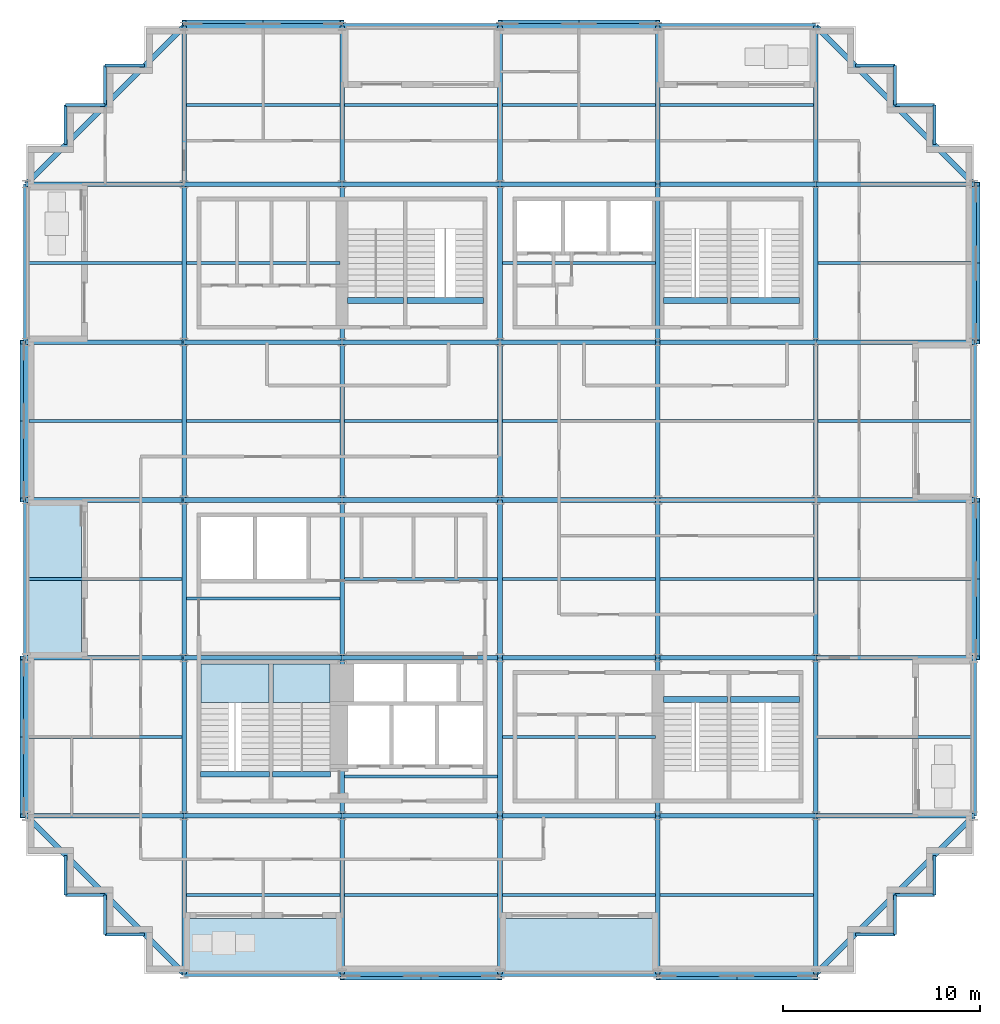
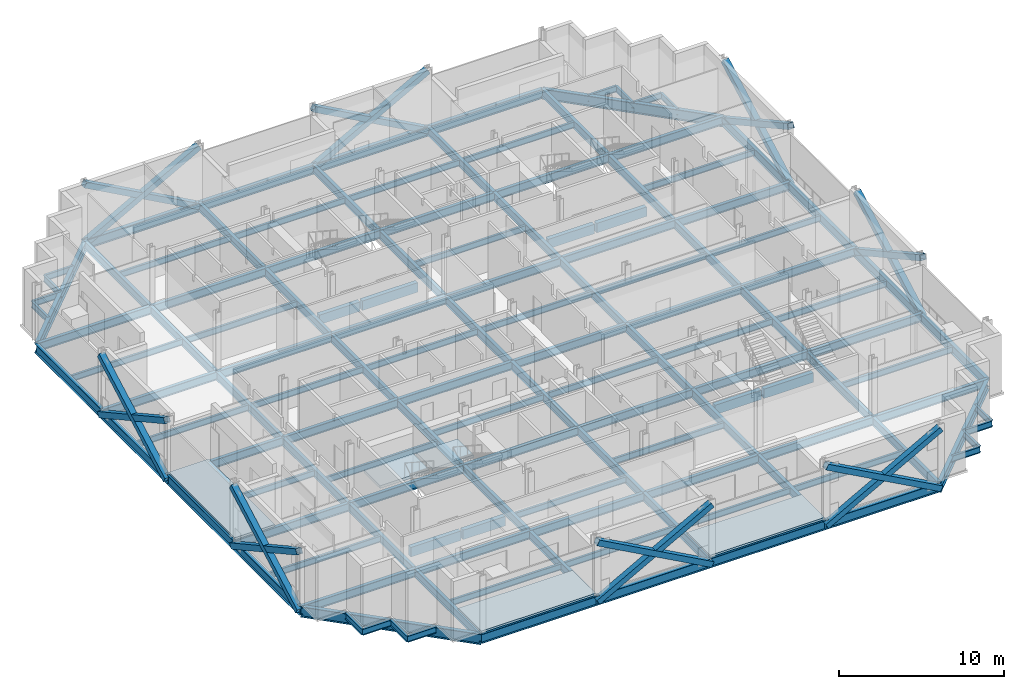
# One storey, part 4 of 15: 132 beams, 16 members, 5 slabs, 2 elements without a shape of their own.
"""IFC4 building model written with IfcOpenShell, lengths in metres."""

from ifc_helpers import new_model, si_unit, direction, frame, origin, origin_2d, place, context, subcontext, project, spatial, polyline, rectangle, hollow_rectangle, i_section, outline, extrude, material, layer, layer_set, material_profile, profile_set, type_object, element, aggregate, save


model = new_model("IFC4")

# Units and contexts
model_context = context("Model", 3, precision=1e-05, world=origin(), true_north=direction((0.0, 1.0)))
body_context = subcontext(model_context, "Body", "Model", "MODEL_VIEW")
ifc_project = project(units=[si_unit("LENGTHUNIT", "METRE"), si_unit("AREAUNIT", "SQUARE_METRE"), si_unit("VOLUMEUNIT", "CUBIC_METRE"), si_unit("PLANEANGLEUNIT", "RADIAN"), si_unit("MASSUNIT", "GRAM", prefix="KILO")], contexts=[model_context])

# Site, building, storey
site_placement = place(None, origin())
site = spatial("IfcSite", under=ifc_project, at=site_placement, CompositionType="ELEMENT")
building_placement = place(site_placement, origin())
building = spatial("IfcBuilding", under=site, at=building_placement, Name="Immortelle Media Tower", CompositionType="ELEMENT")
storey_placement = place(building_placement, frame((0.0, 0.0, 100.800048828125)))
storey = spatial("IfcBuildingStorey", under=building, at=storey_placement, Name="L19", CompositionType="ELEMENT", Elevation=100.800048828125)

# Members
ifc_material_1 = material(Name="Steel ASTM A500 Gr C", Category="steel")
ifc_material_profile_1 = material_profile(ifc_material_1, hollow_rectangle(XDim=0.406005859375, YDim=0.406005859375, WallThickness=0.014892578125, at=origin_2d()), Name="HSS16x16x5/8 brace")
ifc_profile_set_1 = profile_set([ifc_material_profile_1], Name="Steel ASTM A500 Gr C")
member_type = type_object("IfcMemberType", Name="HSS16x16x5/8 brace", PredefinedType="BRACE", material=ifc_profile_set_1)
for number, where, z_axis, x_axis, name in (
    (1, (-0.113037109375, 32.0, -0.49658203125), (0.0, -0.876209133828, 0.481931067474), (1.0, 0.0, 0.0), "Brace 1/D-E A"),
    (2, (-0.113037109375, 32.0, 3.903564453125), (0.0, -0.876209133828, -0.481931067474), (1.0, 0.0, 0.0), "Brace 1/D-E B"),
    (3, (-0.113037109375, 16.0, -0.49658203125), (0.0, -0.876209133828, 0.481931067474), (1.0, 0.0, 0.0), "Brace 1/B-C A"),
    (4, (-0.113037109375, 16.0, 3.903564453125), (0.0, -0.876209133828, -0.481931067474), (1.0, 0.0, 0.0), "Brace 1/B-C B"),
    (5, (16.0, -0.113037109375, -0.49658203125), (0.876209133828, 0.0, 0.481931067474), (0.0, 1.0, 0.0), "Brace A/3-4 A"),
    (6, (16.0, -0.113037109375, 3.903564453125), (0.876209133828, 0.0, -0.481931067474), (0.0, 1.0, 0.0), "Brace A/3-4 B"),
    (7, (32.0, -0.113037109375, -0.49658203125), (0.876209133828, 0.0, 0.481931067474), (0.0, 1.0, 0.0), "Brace A/5-6 A"),
    (8, (32.0, -0.113037109375, 3.903564453125), (0.876209133828, 0.0, -0.481931067474), (0.0, 1.0, 0.0), "Brace A/5-6 B"),
    (9, (48.113037109375, 16.0, -0.49658203125), (0.0, 0.876209133828, 0.481931067474), (-1.0, 0.0, 0.0), "Brace 7/C-D A"),
    (10, (48.113037109375, 16.0, 3.903564453125), (0.0, 0.876209133828, -0.481931067474), (-1.0, 0.0, 0.0), "Brace 7/C-D B"),
    (11, (48.113037109375, 32.0, -0.49658203125), (0.0, 0.876209133828, 0.481931067474), (-1.0, 0.0, 0.0), "Brace 7/E-F A"),
    (12, (48.113037109375, 32.0, 3.903564453125), (0.0, 0.876209133828, -0.481931067474), (-1.0, 0.0, 0.0), "Brace 7/E-F B"),
    (13, (32.0, 48.113037109375, -0.49658203125), (-0.876209133828, 0.0, 0.481931067474), (0.0, -1.0, 0.0), "Brace G/4-5 A"),
    (14, (32.0, 48.113037109375, 3.903564453125), (-0.876209133828, 0.0, -0.481931067474), (0.0, -1.0, 0.0), "Brace G/4-5 B"),
    (15, (16.0, 48.113037109375, -0.49658203125), (-0.876209133828, 0.0, 0.481931067474), (0.0, -1.0, 0.0), "Brace G/2-3 A"),
    (16, (16.0, 48.113037109375, 3.903564453125), (-0.876209133828, 0.0, -0.481931067474), (0.0, -1.0, 0.0), "Brace G/2-3 B"),
):
    element("IfcMember", number, at=place(storey_placement, frame(where, z_axis=z_axis, x_axis=x_axis)), inside=storey, type_object=member_type, Name=name, PredefinedType="BRACE", context=body_context, shape_type="SweptSolid", body=[
        extrude(hollow_rectangle(XDim=0.406005859375, YDim=0.406005859375, WallThickness=0.014892578125, at=origin_2d()), origin(), (0.0, 0.0, 1.0), 9.130126953125),
    ])

# Beams
ifc_material_2 = material(Name="Concrete C50/60", Category="concrete")
ifc_material_profile_2 = material_profile(ifc_material_2, rectangle(XDim=0.300048828125, YDim=0.699951171875, at=origin_2d()), Name="RC 300x700")
ifc_profile_set_2 = profile_set([ifc_material_profile_2], Name="Concrete C50/60")
beam_type_1 = type_object("IfcBeamType", Name="Stair trimmer beam 300 x 700", PredefinedType="BEAM", material=ifc_profile_set_2)
beam_1_placement = place(storey_placement, frame((8.830078125, 10.10498046875, -0.5), z_axis=(1.0, 0.0, 0.0), x_axis=(0.0, 1.0, 0.0)))
element("IfcBeam", 17, at=beam_1_placement, inside=storey, type_object=beam_type_1, Name="Stair trimmer beam SW1", PredefinedType="BEAM", context=body_context, shape_type="SweptSolid", body=[
    extrude(rectangle(XDim=0.300048828125, YDim=0.699951171875, at=origin_2d()), origin(), (0.0, 0.0, 1.0), 3.489990234375),
])
beam_2_placement = place(storey_placement, frame((12.47998046875, 10.10498046875, -0.5), z_axis=(1.0, 0.0, 0.0), x_axis=(0.0, 1.0, 0.0)))
element("IfcBeam", 18, at=beam_2_placement, inside=storey, type_object=beam_type_1, Name="Stair trimmer beam SW2", PredefinedType="BEAM", context=body_context, shape_type="SweptSolid", body=[
    extrude(rectangle(XDim=0.300048828125, YDim=0.699951171875, at=origin_2d()), origin(), (0.0, 0.0, 1.0), 2.93994140625),
])
beam_3_placement = place(storey_placement, frame((32.280029296875, 13.89501953125, -0.5), z_axis=(1.0, 0.0, 0.0), x_axis=(0.0, 1.0, 0.0)))
element("IfcBeam", 19, at=beam_3_placement, inside=storey, type_object=beam_type_1, Name="Stair trimmer beam SE1", PredefinedType="BEAM", context=body_context, shape_type="SweptSolid", body=[
    extrude(rectangle(XDim=0.300048828125, YDim=0.699951171875, at=origin_2d()), origin(), (0.0, 0.0, 1.0), 3.239990234375),
])
beam_4_placement = place(storey_placement, frame((35.679931640625, 13.89501953125, -0.5), z_axis=(1.0, 0.0, 0.0), x_axis=(0.0, 1.0, 0.0)))
element("IfcBeam", 20, at=beam_4_placement, inside=storey, type_object=beam_type_1, Name="Stair trimmer beam SE2", PredefinedType="BEAM", context=body_context, shape_type="SweptSolid", body=[
    extrude(rectangle(XDim=0.300048828125, YDim=0.699951171875, at=origin_2d()), origin(), (0.0, 0.0, 1.0), 3.489990234375),
])
beam_5_placement = place(storey_placement, frame((16.280029296875, 34.10498046875, -0.5), z_axis=(1.0, 0.0, 0.0), x_axis=(0.0, 1.0, 0.0)))
element("IfcBeam", 21, at=beam_5_placement, inside=storey, type_object=beam_type_1, Name="Stair trimmer beam NW1", PredefinedType="BEAM", context=body_context, shape_type="SweptSolid", body=[
    extrude(rectangle(XDim=0.300048828125, YDim=0.699951171875, at=origin_2d()), origin(), (0.0, 0.0, 1.0), 2.840087890625),
])
beam_6_placement = place(storey_placement, frame((19.280029296875, 34.10498046875, -0.5), z_axis=(1.0, 0.0, 0.0), x_axis=(0.0, 1.0, 0.0)))
element("IfcBeam", 22, at=beam_6_placement, inside=storey, type_object=beam_type_1, Name="Stair trimmer beam NW2", PredefinedType="BEAM", context=body_context, shape_type="SweptSolid", body=[
    extrude(rectangle(XDim=0.300048828125, YDim=0.699951171875, at=origin_2d()), origin(), (0.0, 0.0, 1.0), 3.889892578125),
])
beam_7_placement = place(storey_placement, frame((32.280029296875, 34.10498046875, -0.5), z_axis=(1.0, 0.0, 0.0), x_axis=(0.0, 1.0, 0.0)))
element("IfcBeam", 23, at=beam_7_placement, inside=storey, type_object=beam_type_1, Name="Stair trimmer beam NE1", PredefinedType="BEAM", context=body_context, shape_type="SweptSolid", body=[
    extrude(rectangle(XDim=0.300048828125, YDim=0.699951171875, at=origin_2d()), origin(), (0.0, 0.0, 1.0), 3.239990234375),
])
beam_8_placement = place(storey_placement, frame((35.679931640625, 34.10498046875, -0.5), z_axis=(1.0, 0.0, 0.0), x_axis=(0.0, 1.0, 0.0)))
element("IfcBeam", 24, at=beam_8_placement, inside=storey, type_object=beam_type_1, Name="Stair trimmer beam NE2", PredefinedType="BEAM", context=body_context, shape_type="SweptSolid", body=[
    extrude(rectangle(XDim=0.300048828125, YDim=0.699951171875, at=origin_2d()), origin(), (0.0, 0.0, 1.0), 3.489990234375),
])
ifc_material_3 = material(Name="Steel ASTM A992 Gr 50", Category="steel")
ifc_material_profile_3 = material_profile(ifc_material_3, i_section(OverallWidth=0.153076171875, OverallDepth=0.455078125, WebThickness=0.008056640625, FlangeThickness=0.012939453125, at=origin_2d()), Name="W18x40")
ifc_profile_set_3 = profile_set([ifc_material_profile_3], Name="Steel ASTM A992 Gr 50")
beam_type_2 = type_object("IfcBeamType", Name="W18x40 secondary beam", PredefinedType="JOIST", material=ifc_profile_set_3)
for number, where, z_axis, x_axis, name in (
    (25, (8.114501953125, 4.0, -0.37744140625), (1.0, 0.0, 0.0), (0.0, 1.0, 0.0), "Beam A-B/2-3"),
    (26, (16.114501953125, 4.0, -0.37744140625), (1.0, 0.0, 0.0), (0.0, 1.0, 0.0), "Beam A-B/3-4"),
    (27, (24.114501953125, 4.0, -0.37744140625), (1.0, 0.0, 0.0), (0.0, 1.0, 0.0), "Beam A-B/4-5"),
    (28, (32.114501953125, 4.0, -0.37744140625), (1.0, 0.0, 0.0), (0.0, 1.0, 0.0), "Beam A-B/5-6"),
):
    element("IfcBeam", number, at=place(storey_placement, frame(where, z_axis=z_axis, x_axis=x_axis)), inside=storey, type_object=beam_type_2, Name=name, PredefinedType="JOIST", context=body_context, shape_type="SweptSolid", body=[
        extrude(i_section(OverallWidth=0.153076171875, OverallDepth=0.455078125, WebThickness=0.008056640625, FlangeThickness=0.012939453125, at=origin_2d()), origin(), (0.0, 0.0, 1.0), 7.77099609375),
    ])
beam_9_placement = place(storey_placement, frame((0.12841796875, 12.0, -0.37744140625), z_axis=(1.0, 0.0, 0.0), x_axis=(0.0, 1.0, 0.0)))
element("IfcBeam", 29, at=beam_9_placement, inside=storey, type_object=beam_type_2, Name="Beam B-C/1-2", PredefinedType="JOIST", context=body_context, shape_type="SweptSolid", body=[
    extrude(i_section(OverallWidth=0.153076171875, OverallDepth=0.455078125, WebThickness=0.008056640625, FlangeThickness=0.012939453125, at=origin_2d()), origin(), (0.0, 0.0, 1.0), 7.757080078125),
])
for number, where, z_axis, x_axis, name in (
    (30, (16.114501953125, 10.0, -0.37744140625), (1.0, 0.0, 0.0), (0.0, 1.0, 0.0), "Beam B-C/3-4"),
    (31, (24.114501953125, 12.0, -0.37744140625), (1.0, 0.0, 0.0), (0.0, 1.0, 0.0), "Beam B-C/4-5"),
):
    element("IfcBeam", number, at=place(storey_placement, frame(where, z_axis=z_axis, x_axis=x_axis)), inside=storey, type_object=beam_type_2, Name=name, PredefinedType="JOIST", context=body_context, shape_type="SweptSolid", body=[
        extrude(i_section(OverallWidth=0.153076171875, OverallDepth=0.455078125, WebThickness=0.008056640625, FlangeThickness=0.012939453125, at=origin_2d()), origin(), (0.0, 0.0, 1.0), 7.77099609375),
    ])
for number, where, z_axis, x_axis, name in (
    (32, (40.114501953125, 12.0, -0.37744140625), (1.0, 0.0, 0.0), (0.0, 1.0, 0.0), "Beam B-C/6-7"),
    (33, (0.12841796875, 20.0, -0.37744140625), (1.0, 0.0, 0.0), (0.0, 1.0, 0.0), "Beam C-D/1-2"),
):
    element("IfcBeam", number, at=place(storey_placement, frame(where, z_axis=z_axis, x_axis=x_axis)), inside=storey, type_object=beam_type_2, Name=name, PredefinedType="JOIST", context=body_context, shape_type="SweptSolid", body=[
        extrude(i_section(OverallWidth=0.153076171875, OverallDepth=0.455078125, WebThickness=0.008056640625, FlangeThickness=0.012939453125, at=origin_2d()), origin(), (0.0, 0.0, 1.0), 7.757080078125),
    ])
for number, where, z_axis, x_axis, name in (
    (34, (8.114501953125, 19.0, -0.37744140625), (1.0, 0.0, 0.0), (0.0, 1.0, 0.0), "Beam C-D/2-3"),
    (35, (16.114501953125, 20.0, -0.37744140625), (1.0, 0.0, 0.0), (0.0, 1.0, 0.0), "Beam C-D/3-4"),
    (36, (24.114501953125, 20.0, -0.37744140625), (1.0, 0.0, 0.0), (0.0, 1.0, 0.0), "Beam C-D/4-5"),
    (37, (32.114501953125, 20.0, -0.37744140625), (1.0, 0.0, 0.0), (0.0, 1.0, 0.0), "Beam C-D/5-6"),
):
    element("IfcBeam", number, at=place(storey_placement, frame(where, z_axis=z_axis, x_axis=x_axis)), inside=storey, type_object=beam_type_2, Name=name, PredefinedType="JOIST", context=body_context, shape_type="SweptSolid", body=[
        extrude(i_section(OverallWidth=0.153076171875, OverallDepth=0.455078125, WebThickness=0.008056640625, FlangeThickness=0.012939453125, at=origin_2d()), origin(), (0.0, 0.0, 1.0), 7.77099609375),
    ])
for number, where, z_axis, x_axis, name in (
    (38, (40.114501953125, 20.0, -0.37744140625), (1.0, 0.0, 0.0), (0.0, 1.0, 0.0), "Beam C-D/6-7"),
    (39, (0.12841796875, 28.0, -0.37744140625), (1.0, 0.0, 0.0), (0.0, 1.0, 0.0), "Beam D-E/1-2"),
):
    element("IfcBeam", number, at=place(storey_placement, frame(where, z_axis=z_axis, x_axis=x_axis)), inside=storey, type_object=beam_type_2, Name=name, PredefinedType="JOIST", context=body_context, shape_type="SweptSolid", body=[
        extrude(i_section(OverallWidth=0.153076171875, OverallDepth=0.455078125, WebThickness=0.008056640625, FlangeThickness=0.012939453125, at=origin_2d()), origin(), (0.0, 0.0, 1.0), 7.757080078125),
    ])
for number, where, z_axis, x_axis, name in (
    (40, (8.114501953125, 28.0, -0.37744140625), (1.0, 0.0, 0.0), (0.0, 1.0, 0.0), "Beam D-E/2-3"),
    (41, (16.114501953125, 28.0, -0.37744140625), (1.0, 0.0, 0.0), (0.0, 1.0, 0.0), "Beam D-E/3-4"),
    (42, (24.114501953125, 28.0, -0.37744140625), (1.0, 0.0, 0.0), (0.0, 1.0, 0.0), "Beam D-E/4-5"),
    (43, (32.114501953125, 28.0, -0.37744140625), (1.0, 0.0, 0.0), (0.0, 1.0, 0.0), "Beam D-E/5-6"),
):
    element("IfcBeam", number, at=place(storey_placement, frame(where, z_axis=z_axis, x_axis=x_axis)), inside=storey, type_object=beam_type_2, Name=name, PredefinedType="JOIST", context=body_context, shape_type="SweptSolid", body=[
        extrude(i_section(OverallWidth=0.153076171875, OverallDepth=0.455078125, WebThickness=0.008056640625, FlangeThickness=0.012939453125, at=origin_2d()), origin(), (0.0, 0.0, 1.0), 7.77099609375),
    ])
for number, where, z_axis, x_axis, name in (
    (44, (40.114501953125, 28.0, -0.37744140625), (1.0, 0.0, 0.0), (0.0, 1.0, 0.0), "Beam D-E/6-7"),
    (45, (0.12841796875, 36.0, -0.37744140625), (1.0, 0.0, 0.0), (0.0, 1.0, 0.0), "Beam E-F/1-2"),
):
    element("IfcBeam", number, at=place(storey_placement, frame(where, z_axis=z_axis, x_axis=x_axis)), inside=storey, type_object=beam_type_2, Name=name, PredefinedType="JOIST", context=body_context, shape_type="SweptSolid", body=[
        extrude(i_section(OverallWidth=0.153076171875, OverallDepth=0.455078125, WebThickness=0.008056640625, FlangeThickness=0.012939453125, at=origin_2d()), origin(), (0.0, 0.0, 1.0), 7.757080078125),
    ])
for number, where, z_axis, x_axis, name in (
    (46, (8.114501953125, 36.0, -0.37744140625), (1.0, 0.0, 0.0), (0.0, 1.0, 0.0), "Beam E-F/2-3"),
    (47, (24.114501953125, 36.0, -0.37744140625), (1.0, 0.0, 0.0), (0.0, 1.0, 0.0), "Beam E-F/4-5"),
):
    element("IfcBeam", number, at=place(storey_placement, frame(where, z_axis=z_axis, x_axis=x_axis)), inside=storey, type_object=beam_type_2, Name=name, PredefinedType="JOIST", context=body_context, shape_type="SweptSolid", body=[
        extrude(i_section(OverallWidth=0.153076171875, OverallDepth=0.455078125, WebThickness=0.008056640625, FlangeThickness=0.012939453125, at=origin_2d()), origin(), (0.0, 0.0, 1.0), 7.77099609375),
    ])
beam_10_placement = place(storey_placement, frame((40.114501953125, 36.0, -0.37744140625), z_axis=(1.0, 0.0, 0.0), x_axis=(0.0, 1.0, 0.0)))
element("IfcBeam", 48, at=beam_10_placement, inside=storey, type_object=beam_type_2, Name="Beam E-F/6-7", PredefinedType="JOIST", context=body_context, shape_type="SweptSolid", body=[
    extrude(i_section(OverallWidth=0.153076171875, OverallDepth=0.455078125, WebThickness=0.008056640625, FlangeThickness=0.012939453125, at=origin_2d()), origin(), (0.0, 0.0, 1.0), 7.757080078125),
])
for number, where, z_axis, x_axis, name in (
    (49, (8.114501953125, 44.0, -0.37744140625), (1.0, 0.0, 0.0), (0.0, 1.0, 0.0), "Beam F-G/2-3"),
    (50, (16.114501953125, 44.0, -0.37744140625), (1.0, 0.0, 0.0), (0.0, 1.0, 0.0), "Beam F-G/3-4"),
    (51, (24.114501953125, 44.0, -0.37744140625), (1.0, 0.0, 0.0), (0.0, 1.0, 0.0), "Beam F-G/4-5"),
    (52, (32.114501953125, 44.0, -0.37744140625), (1.0, 0.0, 0.0), (0.0, 1.0, 0.0), "Beam F-G/5-6"),
):
    element("IfcBeam", number, at=place(storey_placement, frame(where, z_axis=z_axis, x_axis=x_axis)), inside=storey, type_object=beam_type_2, Name=name, PredefinedType="JOIST", context=body_context, shape_type="SweptSolid", body=[
        extrude(i_section(OverallWidth=0.153076171875, OverallDepth=0.455078125, WebThickness=0.008056640625, FlangeThickness=0.012939453125, at=origin_2d()), origin(), (0.0, 0.0, 1.0), 7.77099609375),
    ])
ifc_material_profile_4 = material_profile(ifc_material_3, i_section(OverallWidth=0.153076171875, OverallDepth=0.455078125, WebThickness=0.008056640625, FlangeThickness=0.012939453125, at=origin_2d()), Name="W18x40")
ifc_profile_set_4 = profile_set([ifc_material_profile_4], Name="Steel ASTM A992 Gr 50")
beam_type_3 = type_object("IfcBeamType", Name="W18x40 serration edge beam", PredefinedType="SPANDREL", material=ifc_profile_set_4)
for number, where, z_axis, x_axis, name in (
    (53, (6.0, 2.0, -0.37744140625), (-1.0, 0.0, 0.0), (0.0, -1.0, 0.0), "Corner edge beam 1 at 1/A"),
    (54, (4.0, 2.0, -0.37744140625), (0.0, 1.0, 0.0), (-1.0, 0.0, 0.0), "Corner edge beam 2 at 1/A"),
    (55, (4.0, 4.0, -0.37744140625), (-1.0, 0.0, 0.0), (0.0, -1.0, 0.0), "Corner edge beam 3 at 1/A"),
    (56, (2.0, 4.0, -0.37744140625), (0.0, 1.0, 0.0), (-1.0, 0.0, 0.0), "Corner edge beam 4 at 1/A"),
    (57, (2.0, 42.0, -0.37744140625), (0.0, 1.0, 0.0), (-1.0, 0.0, 0.0), "Corner edge beam 1 at 1/G"),
    (58, (2.0, 44.0, -0.37744140625), (1.0, 0.0, 0.0), (0.0, 1.0, 0.0), "Corner edge beam 2 at 1/G"),
    (59, (4.0, 44.0, -0.37744140625), (0.0, 1.0, 0.0), (-1.0, 0.0, 0.0), "Corner edge beam 3 at 1/G"),
    (60, (4.0, 46.0, -0.37744140625), (1.0, 0.0, 0.0), (0.0, 1.0, 0.0), "Corner edge beam 4 at 1/G"),
    (61, (46.0, 6.0, -0.37744140625), (0.0, -1.0, 0.0), (1.0, 0.0, 0.0), "Corner edge beam 1 at 7/A"),
    (62, (46.0, 4.0, -0.37744140625), (-1.0, 0.0, 0.0), (0.0, -1.0, 0.0), "Corner edge beam 2 at 7/A"),
    (63, (44.0, 4.0, -0.37744140625), (0.0, -1.0, 0.0), (1.0, 0.0, 0.0), "Corner edge beam 3 at 7/A"),
    (64, (44.0, 2.0, -0.37744140625), (-1.0, 0.0, 0.0), (0.0, -1.0, 0.0), "Corner edge beam 4 at 7/A"),
    (65, (42.0, 46.0, -0.37744140625), (1.0, 0.0, 0.0), (0.0, 1.0, 0.0), "Corner edge beam 1 at 7/G"),
    (66, (44.0, 46.0, -0.37744140625), (0.0, -1.0, 0.0), (1.0, 0.0, 0.0), "Corner edge beam 2 at 7/G"),
    (67, (44.0, 44.0, -0.37744140625), (1.0, 0.0, 0.0), (0.0, 1.0, 0.0), "Corner edge beam 3 at 7/G"),
    (68, (46.0, 44.0, -0.37744140625), (0.0, -1.0, 0.0), (1.0, 0.0, 0.0), "Corner edge beam 4 at 7/G"),
):
    element("IfcBeam", number, at=place(storey_placement, frame(where, z_axis=z_axis, x_axis=x_axis)), inside=storey, type_object=beam_type_3, Name=name, PredefinedType="SPANDREL", context=body_context, shape_type="SweptSolid", body=[
        extrude(i_section(OverallWidth=0.153076171875, OverallDepth=0.455078125, WebThickness=0.008056640625, FlangeThickness=0.012939453125, at=origin_2d()), origin(), (0.0, 0.0, 1.0), 2.0),
    ])
ifc_material_profile_5 = material_profile(ifc_material_3, i_section(OverallWidth=0.22900390625, OverallDepth=0.612060546875, WebThickness=0.011962890625, FlangeThickness=0.02001953125, at=origin_2d()), Name="W24x84")
ifc_profile_set_5 = profile_set([ifc_material_profile_5], Name="Steel ASTM A992 Gr 50")
beam_type_4 = type_object("IfcBeamType", Name="W24x84 girder", PredefinedType="BEAM", material=ifc_profile_set_5)
for number, where, z_axis, x_axis, name in (
    (69, (0.0, 8.0, -0.4560546875), (1.0, 0.0, 0.0), (0.0, 1.0, 0.0), "Girder B/1-2"),
    (70, (0.0, 16.0, -0.4560546875), (1.0, 0.0, 0.0), (0.0, 1.0, 0.0), "Girder C/1-2"),
    (71, (0.0, 24.0, -0.4560546875), (1.0, 0.0, 0.0), (0.0, 1.0, 0.0), "Girder D/1-2"),
    (72, (0.0, 32.0, -0.4560546875), (1.0, 0.0, 0.0), (0.0, 1.0, 0.0), "Girder E/1-2"),
    (73, (0.0, 40.0, -0.4560546875), (1.0, 0.0, 0.0), (0.0, 1.0, 0.0), "Girder F/1-2"),
    (74, (8.0, 0.0, -0.4560546875), (0.0, 1.0, 0.0), (-1.0, 0.0, 0.0), "Girder 2/A-B"),
    (75, (8.0, 8.0, -0.4560546875), (1.0, 0.0, 0.0), (0.0, 1.0, 0.0), "Girder B/2-3"),
    (76, (8.0, 8.0, -0.4560546875), (0.0, 1.0, 0.0), (-1.0, 0.0, 0.0), "Girder 2/B-C"),
    (77, (8.0, 16.0, -0.4560546875), (1.0, 0.0, 0.0), (0.0, 1.0, 0.0), "Girder C/2-3"),
    (78, (8.0, 16.0, -0.4560546875), (0.0, 1.0, 0.0), (-1.0, 0.0, 0.0), "Girder 2/C-D"),
    (79, (8.0, 24.0, -0.4560546875), (1.0, 0.0, 0.0), (0.0, 1.0, 0.0), "Girder D/2-3"),
    (80, (8.0, 24.0, -0.4560546875), (0.0, 1.0, 0.0), (-1.0, 0.0, 0.0), "Girder 2/D-E"),
    (81, (8.0, 32.0, -0.4560546875), (1.0, 0.0, 0.0), (0.0, 1.0, 0.0), "Girder E/2-3"),
    (82, (8.0, 32.0, -0.4560546875), (0.0, 1.0, 0.0), (-1.0, 0.0, 0.0), "Girder 2/E-F"),
    (83, (8.0, 40.0, -0.4560546875), (1.0, 0.0, 0.0), (0.0, 1.0, 0.0), "Girder F/2-3"),
    (84, (8.0, 40.0, -0.4560546875), (0.0, 1.0, 0.0), (-1.0, 0.0, 0.0), "Girder 2/F-G"),
    (85, (16.0, 0.0, -0.4560546875), (0.0, 1.0, 0.0), (-1.0, 0.0, 0.0), "Girder 3/A-B"),
    (86, (16.0, 8.0, -0.4560546875), (1.0, 0.0, 0.0), (0.0, 1.0, 0.0), "Girder B/3-4"),
    (87, (16.0, 8.0, -0.4560546875), (0.0, 1.0, 0.0), (-1.0, 0.0, 0.0), "Girder 3/B-C"),
    (88, (16.0, 16.0, -0.4560546875), (1.0, 0.0, 0.0), (0.0, 1.0, 0.0), "Girder C/3-4"),
    (89, (16.0, 16.0, -0.4560546875), (0.0, 1.0, 0.0), (-1.0, 0.0, 0.0), "Girder 3/C-D"),
    (90, (16.0, 24.0, -0.4560546875), (1.0, 0.0, 0.0), (0.0, 1.0, 0.0), "Girder D/3-4"),
    (91, (16.0, 24.0, -0.4560546875), (0.0, 1.0, 0.0), (-1.0, 0.0, 0.0), "Girder 3/D-E"),
    (92, (16.0, 32.0, -0.4560546875), (1.0, 0.0, 0.0), (0.0, 1.0, 0.0), "Girder E/3-4"),
    (93, (16.0, 32.0, -0.4560546875), (0.0, 1.0, 0.0), (-1.0, 0.0, 0.0), "Girder 3/E-F"),
    (94, (16.0, 40.0, -0.4560546875), (1.0, 0.0, 0.0), (0.0, 1.0, 0.0), "Girder F/3-4"),
    (95, (16.0, 40.0, -0.4560546875), (0.0, 1.0, 0.0), (-1.0, 0.0, 0.0), "Girder 3/F-G"),
    (96, (24.0, 0.0, -0.4560546875), (0.0, 1.0, 0.0), (-1.0, 0.0, 0.0), "Girder 4/A-B"),
    (97, (24.0, 8.0, -0.4560546875), (1.0, 0.0, 0.0), (0.0, 1.0, 0.0), "Girder B/4-5"),
    (98, (24.0, 8.0, -0.4560546875), (0.0, 1.0, 0.0), (-1.0, 0.0, 0.0), "Girder 4/B-C"),
    (99, (24.0, 16.0, -0.4560546875), (1.0, 0.0, 0.0), (0.0, 1.0, 0.0), "Girder C/4-5"),
    (100, (24.0, 16.0, -0.4560546875), (0.0, 1.0, 0.0), (-1.0, 0.0, 0.0), "Girder 4/C-D"),
    (101, (24.0, 24.0, -0.4560546875), (1.0, 0.0, 0.0), (0.0, 1.0, 0.0), "Girder D/4-5"),
    (102, (24.0, 24.0, -0.4560546875), (0.0, 1.0, 0.0), (-1.0, 0.0, 0.0), "Girder 4/D-E"),
    (103, (24.0, 32.0, -0.4560546875), (1.0, 0.0, 0.0), (0.0, 1.0, 0.0), "Girder E/4-5"),
    (104, (24.0, 32.0, -0.4560546875), (0.0, 1.0, 0.0), (-1.0, 0.0, 0.0), "Girder 4/E-F"),
    (105, (24.0, 40.0, -0.4560546875), (1.0, 0.0, 0.0), (0.0, 1.0, 0.0), "Girder F/4-5"),
    (106, (24.0, 40.0, -0.4560546875), (0.0, 1.0, 0.0), (-1.0, 0.0, 0.0), "Girder 4/F-G"),
    (107, (32.0, 0.0, -0.4560546875), (0.0, 1.0, 0.0), (-1.0, 0.0, 0.0), "Girder 5/A-B"),
    (108, (32.0, 8.0, -0.4560546875), (1.0, 0.0, 0.0), (0.0, 1.0, 0.0), "Girder B/5-6"),
    (109, (32.0, 8.0, -0.4560546875), (0.0, 1.0, 0.0), (-1.0, 0.0, 0.0), "Girder 5/B-C"),
    (110, (32.0, 16.0, -0.4560546875), (1.0, 0.0, 0.0), (0.0, 1.0, 0.0), "Girder C/5-6"),
    (111, (32.0, 16.0, -0.4560546875), (0.0, 1.0, 0.0), (-1.0, 0.0, 0.0), "Girder 5/C-D"),
    (112, (32.0, 24.0, -0.4560546875), (1.0, 0.0, 0.0), (0.0, 1.0, 0.0), "Girder D/5-6"),
    (113, (32.0, 24.0, -0.4560546875), (0.0, 1.0, 0.0), (-1.0, 0.0, 0.0), "Girder 5/D-E"),
    (114, (32.0, 32.0, -0.4560546875), (1.0, 0.0, 0.0), (0.0, 1.0, 0.0), "Girder E/5-6"),
    (115, (32.0, 32.0, -0.4560546875), (0.0, 1.0, 0.0), (-1.0, 0.0, 0.0), "Girder 5/E-F"),
    (116, (32.0, 40.0, -0.4560546875), (1.0, 0.0, 0.0), (0.0, 1.0, 0.0), "Girder F/5-6"),
    (117, (32.0, 40.0, -0.4560546875), (0.0, 1.0, 0.0), (-1.0, 0.0, 0.0), "Girder 5/F-G"),
    (118, (40.0, 0.0, -0.4560546875), (0.0, 1.0, 0.0), (-1.0, 0.0, 0.0), "Girder 6/A-B"),
    (119, (40.0, 8.0, -0.4560546875), (1.0, 0.0, 0.0), (0.0, 1.0, 0.0), "Girder B/6-7"),
    (120, (40.0, 8.0, -0.4560546875), (0.0, 1.0, 0.0), (-1.0, 0.0, 0.0), "Girder 6/B-C"),
    (121, (40.0, 16.0, -0.4560546875), (1.0, 0.0, 0.0), (0.0, 1.0, 0.0), "Girder C/6-7"),
    (122, (40.0, 16.0, -0.4560546875), (0.0, 1.0, 0.0), (-1.0, 0.0, 0.0), "Girder 6/C-D"),
    (123, (40.0, 24.0, -0.4560546875), (1.0, 0.0, 0.0), (0.0, 1.0, 0.0), "Girder D/6-7"),
    (124, (40.0, 24.0, -0.4560546875), (0.0, 1.0, 0.0), (-1.0, 0.0, 0.0), "Girder 6/D-E"),
    (125, (40.0, 32.0, -0.4560546875), (1.0, 0.0, 0.0), (0.0, 1.0, 0.0), "Girder E/6-7"),
    (126, (40.0, 32.0, -0.4560546875), (0.0, 1.0, 0.0), (-1.0, 0.0, 0.0), "Girder 6/E-F"),
    (127, (40.0, 40.0, -0.4560546875), (1.0, 0.0, 0.0), (0.0, 1.0, 0.0), "Girder F/6-7"),
    (128, (40.0, 40.0, -0.4560546875), (0.0, 1.0, 0.0), (-1.0, 0.0, 0.0), "Girder 6/F-G"),
):
    element("IfcBeam", number, at=place(storey_placement, frame(where, z_axis=z_axis, x_axis=x_axis)), inside=storey, type_object=beam_type_4, Name=name, PredefinedType="BEAM", context=body_context, shape_type="SweptSolid", body=[
        extrude(i_section(OverallWidth=0.22900390625, OverallDepth=0.612060546875, WebThickness=0.011962890625, FlangeThickness=0.02001953125, at=origin_2d()), origin(), (0.0, 0.0, 1.0), 8.0),
    ])
ifc_material_profile_6 = material_profile(ifc_material_3, i_section(OverallWidth=0.257080078125, OverallDepth=0.693115234375, WebThickness=0.013916015625, FlangeThickness=0.02392578125, at=origin_2d()), Name="W27x114")
ifc_profile_set_6 = profile_set([ifc_material_profile_6], Name="Steel ASTM A992 Gr 50")
beam_type_5 = type_object("IfcBeamType", Name="W27x114 perimeter girder", PredefinedType="SPANDREL", material=ifc_profile_set_6)
for number, where, z_axis, x_axis, name in (
    (129, (0.0, 8.0, -0.49658203125), (0.0, 1.0, 0.0), (-1.0, 0.0, 0.0), "Girder 1/B-C"),
    (130, (0.0, 16.0, -0.49658203125), (0.0, 1.0, 0.0), (-1.0, 0.0, 0.0), "Girder 1/C-D"),
    (131, (0.0, 24.0, -0.49658203125), (0.0, 1.0, 0.0), (-1.0, 0.0, 0.0), "Girder 1/D-E"),
    (132, (0.0, 32.0, -0.49658203125), (0.0, 1.0, 0.0), (-1.0, 0.0, 0.0), "Girder 1/E-F"),
    (133, (8.0, 0.0, -0.49658203125), (1.0, 0.0, 0.0), (0.0, 1.0, 0.0), "Girder A/2-3"),
    (134, (8.0, 48.0, -0.49658203125), (1.0, 0.0, 0.0), (0.0, 1.0, 0.0), "Girder G/2-3"),
    (135, (16.0, 0.0, -0.49658203125), (1.0, 0.0, 0.0), (0.0, 1.0, 0.0), "Girder A/3-4"),
    (136, (16.0, 48.0, -0.49658203125), (1.0, 0.0, 0.0), (0.0, 1.0, 0.0), "Girder G/3-4"),
    (137, (24.0, 0.0, -0.49658203125), (1.0, 0.0, 0.0), (0.0, 1.0, 0.0), "Girder A/4-5"),
    (138, (24.0, 48.0, -0.49658203125), (1.0, 0.0, 0.0), (0.0, 1.0, 0.0), "Girder G/4-5"),
    (139, (32.0, 0.0, -0.49658203125), (1.0, 0.0, 0.0), (0.0, 1.0, 0.0), "Girder A/5-6"),
    (140, (32.0, 48.0, -0.49658203125), (1.0, 0.0, 0.0), (0.0, 1.0, 0.0), "Girder G/5-6"),
    (141, (48.0, 8.0, -0.49658203125), (0.0, 1.0, 0.0), (-1.0, 0.0, 0.0), "Girder 7/B-C"),
    (142, (48.0, 16.0, -0.49658203125), (0.0, 1.0, 0.0), (-1.0, 0.0, 0.0), "Girder 7/C-D"),
    (143, (48.0, 24.0, -0.49658203125), (0.0, 1.0, 0.0), (-1.0, 0.0, 0.0), "Girder 7/D-E"),
    (144, (48.0, 32.0, -0.49658203125), (0.0, 1.0, 0.0), (-1.0, 0.0, 0.0), "Girder 7/E-F"),
):
    element("IfcBeam", number, at=place(storey_placement, frame(where, z_axis=z_axis, x_axis=x_axis)), inside=storey, type_object=beam_type_5, Name=name, PredefinedType="SPANDREL", context=body_context, shape_type="SweptSolid", body=[
        extrude(i_section(OverallWidth=0.257080078125, OverallDepth=0.693115234375, WebThickness=0.013916015625, FlangeThickness=0.02392578125, at=origin_2d()), origin(), (0.0, 0.0, 1.0), 8.0),
    ])
ifc_material_profile_7 = material_profile(ifc_material_3, i_section(OverallWidth=0.26708984375, OverallDepth=0.780029296875, WebThickness=0.01708984375, FlangeThickness=0.030029296875, at=origin_2d()), Name="W30x148")
ifc_profile_set_7 = profile_set([ifc_material_profile_7], Name="Steel ASTM A992 Gr 50")
beam_type_6 = type_object("IfcBeamType", Name="W30x148 corner girder", PredefinedType="SPANDREL", material=ifc_profile_set_7)
for number, where, z_axis, x_axis, name in (
    (145, (8.0, 0.0, -0.5400390625), (-0.707106781187, 0.707106781187, 0.0), (-0.707106781187, -0.707106781187, 0.0), "Corner girder at 1/A"),
    (146, (0.0, 40.0, -0.5400390625), (0.707106781187, 0.707106781187, 0.0), (-0.707106781187, 0.707106781187, 0.0), "Corner girder at 1/G"),
    (147, (48.0, 8.0, -0.5400390625), (-0.707106781187, -0.707106781187, 0.0), (0.707106781187, -0.707106781187, 0.0), "Corner girder at 7/A"),
    (148, (40.0, 48.0, -0.5400390625), (0.707106781187, -0.707106781187, 0.0), (0.707106781187, 0.707106781187, 0.0), "Corner girder at 7/G"),
):
    element("IfcBeam", number, at=place(storey_placement, frame(where, z_axis=z_axis, x_axis=x_axis)), inside=storey, type_object=beam_type_6, Name=name, PredefinedType="SPANDREL", context=body_context, shape_type="SweptSolid", body=[
        extrude(i_section(OverallWidth=0.26708984375, OverallDepth=0.780029296875, WebThickness=0.01708984375, FlangeThickness=0.030029296875, at=origin_2d()), origin(), (0.0, 0.0, 1.0), 11.313720703125),
    ])

# Slabs
ifc_material_4 = material(Name="Concrete C50/60 composite deck", Category="concrete")
ifc_layer_1 = layer(ifc_material_4, 0.14990234375)
ifc_layer_set_1 = layer_set([ifc_layer_1], Name="Concrete C50/60 composite deck")
slab_type_1 = type_object("IfcSlabType", Name="Balcony slab 150", PredefinedType="FLOOR", material=ifc_layer_set_1)
slab_1_placement = place(storey_placement, frame((0.0, 0.0, -0.150146484375)))
element("IfcSlab", 149, at=slab_1_placement, inside=storey, type_object=slab_type_1, Name="Balcony slab L19 W2", PredefinedType="FLOOR", context=body_context, shape_type="SweptSolid", body=[
    extrude(outline(polyline([(2.800048828125, 16.0), (2.800048828125, 24.0), (0.0, 24.0), (0.0, 16.0), (2.800048828125, 16.0)])), origin(), (0.0, 0.0, 1.0), 0.150146484375),
])
slab_2_placement = place(storey_placement, frame((0.0, 0.0, -0.150146484375)))
element("IfcSlab", 150, at=slab_2_placement, inside=storey, type_object=slab_type_1, Name="Balcony slab L19 S0", PredefinedType="FLOOR", context=body_context, shape_type="SweptSolid", body=[
    extrude(outline(polyline([(16.0, 0.0), (16.0, 2.800048828125), (8.0, 2.800048828125), (8.0, 0.0), (16.0, 0.0)])), origin(), (0.0, 0.0, 1.0), 0.150146484375),
])
slab_3_placement = place(storey_placement, frame((0.0, 0.0, -0.150146484375)))
element("IfcSlab", 151, at=slab_3_placement, inside=storey, type_object=slab_type_1, Name="Balcony slab L19 S2", PredefinedType="FLOOR", context=body_context, shape_type="SweptSolid", body=[
    extrude(outline(polyline([(32.0, 0.0), (32.0, 2.800048828125), (24.0, 2.800048828125), (24.0, 0.0), (32.0, 0.0)])), origin(), (0.0, 0.0, 1.0), 0.150146484375),
])

# Stair, slab
stair_type = type_object("IfcStairType", Name="Stair with flights", PredefinedType="DOUBLE_RETURN_STAIR", material=ifc_material_3)
stair_1_placement = place(storey_placement, origin())
stair_1 = element("IfcStair", 152, at=stair_1_placement, inside=storey, type_object=stair_type, Name="Exit stair SW1", PredefinedType="DOUBLE_RETURN_STAIR")
ifc_material_5 = material(Name="Steel ASTM A572 Gr 50", Category="steel")
ifc_layer_2 = layer(ifc_material_5, 0.199951171875)
ifc_layer_set_2 = layer_set([ifc_layer_2], Name="Steel ASTM A572 Gr 50")
slab_type_2 = type_object("IfcSlabType", Name="Stair landing 200", PredefinedType="LANDING", material=ifc_layer_set_2)
slab_4_placement = place(storey_placement, frame((0.0, 0.0, 1.911865234375)))
slab_4 = element("IfcSlab", 153, at=slab_4_placement, type_object=slab_type_2, Name="ST SW1 landing 1", PredefinedType="LANDING", context=body_context, shape_type="SweptSolid", body=[
    extrude(outline(polyline([(8.85009765625, 13.72998046875), (12.300048828125, 13.72998046875), (12.300048828125, 15.699951171875), (8.85009765625, 15.699951171875), (8.85009765625, 13.72998046875)])), origin(), (0.0, 0.0, 1.0), 0.2001953125),
])
aggregate(stair_1, [slab_4])

stair_2_placement = place(storey_placement, origin())
stair_2 = element("IfcStair", 154, at=stair_2_placement, inside=storey, type_object=stair_type, Name="Exit stair SW2", PredefinedType="DOUBLE_RETURN_STAIR")
slab_5_placement = place(storey_placement, frame((0.0, 0.0, 1.911865234375)))
slab_5 = element("IfcSlab", 155, at=slab_5_placement, type_object=slab_type_2, Name="ST SW2 landing 1", PredefinedType="LANDING", context=body_context, shape_type="SweptSolid", body=[
    extrude(outline(polyline([(12.5, 13.72998046875), (15.39990234375, 13.72998046875), (15.39990234375, 15.699951171875), (12.5, 15.699951171875), (12.5, 13.72998046875)])), origin(), (0.0, 0.0, 1.0), 0.2001953125),
])
aggregate(stair_2, [slab_5])

save(model, "model.ifc")
